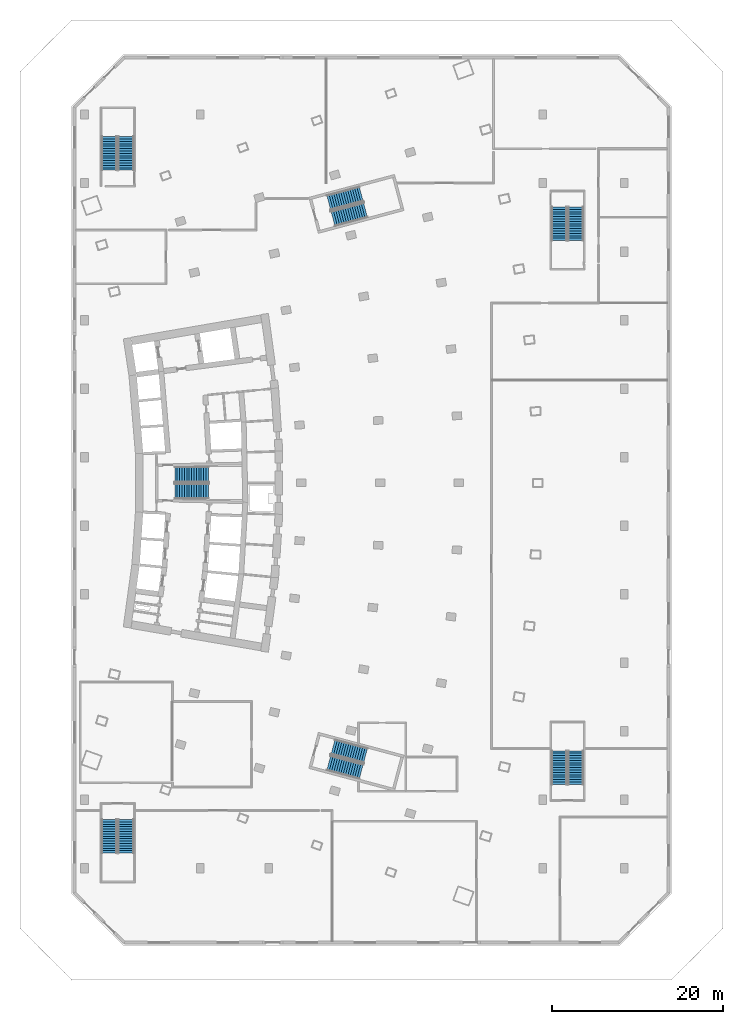
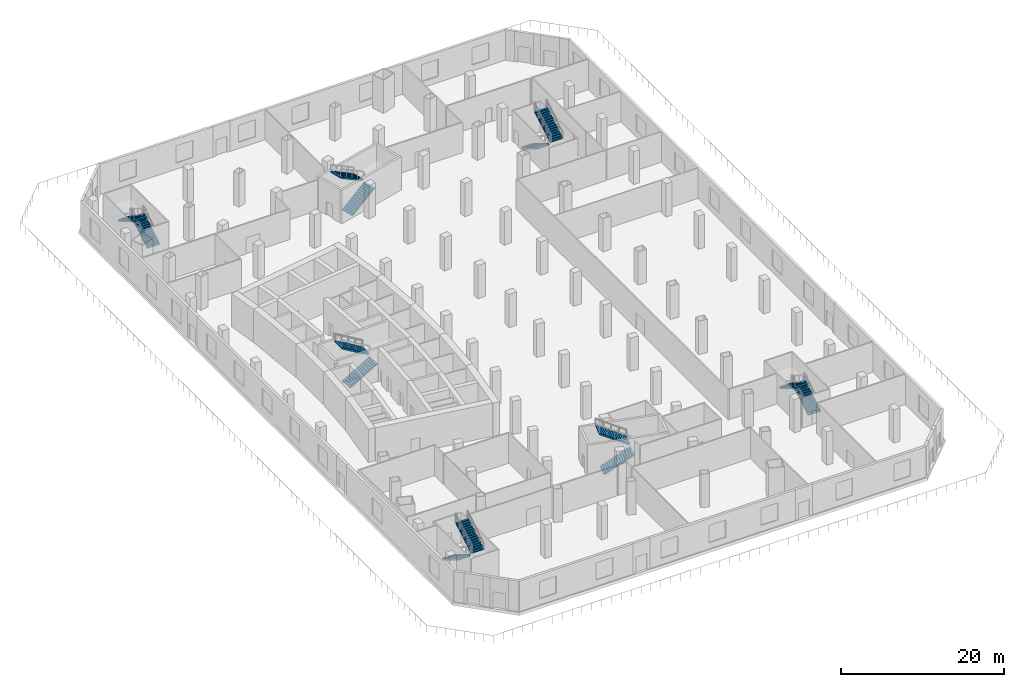
# One storey, part 10 of 15: 14 stair flights, 7 elements without a shape of their own.
"""IFC4 building model written with IfcOpenShell, lengths in metres."""

from ifc_helpers import new_model, si_unit, direction, frame, origin, place, context, subcontext, project, spatial, polyline, outline, extrude, material, layer, layer_set, type_object, element, aggregate, save


model = new_model("IFC4")

# Units and contexts
model_context = context("Model", 3, precision=1e-05, world=origin(), true_north=direction((0.0, 1.0)))
body_context = subcontext(model_context, "Body", "Model", "MODEL_VIEW")
ifc_project = project(units=[si_unit("LENGTHUNIT", "METRE"), si_unit("AREAUNIT", "SQUARE_METRE"), si_unit("VOLUMEUNIT", "CUBIC_METRE"), si_unit("PLANEANGLEUNIT", "RADIAN"), si_unit("MASSUNIT", "GRAM", prefix="KILO")], contexts=[model_context])

# Site, building, storey
site_placement = place(None, origin())
site = spatial("IfcSite", under=ifc_project, at=site_placement, CompositionType="ELEMENT")
building_placement = place(site_placement, origin())
building = spatial("IfcBuilding", under=site, at=building_placement, Name="Alderwake Tower", CompositionType="ELEMENT")
storey_placement = place(building_placement, frame((0.0, 0.0, 13.5)))
storey = spatial("IfcBuildingStorey", under=building, at=storey_placement, Name="L02", CompositionType="ELEMENT", Elevation=13.5)

# Stair, stair flights
ifc_material_1 = material(Name="Concrete C40/50", Category="concrete")
stair_type_1 = type_object("IfcStairType", Name="Core exit stair", PredefinedType="HALF_TURN_STAIR", material=ifc_material_1)
stair_1_placement = place(storey_placement, origin())
stair_1 = element("IfcStair", 1, at=stair_1_placement, inside=storey, type_object=stair_type_1, Name="L02 Exit Stair B", PredefinedType="HALF_TURN_STAIR")
ifc_material_2 = material(Name="Concrete C40/50", Category="concrete")
ifc_layer = layer(ifc_material_2, 0.14990234375)
ifc_layer_set = layer_set([ifc_layer], Name="Core stair flight")
stair_flight_type = type_object("IfcStairFlightType", Name="Core stair flight", PredefinedType="STRAIGHT", material=ifc_layer_set)
stair_flight_1_placement = place(storey_placement, frame((21.0400390625, 60.02490234375, 0.0), z_axis=(0.0, 0.0, 1.0), x_axis=(1.0, 0.0, 0.0)))
stair_flight_1 = element("IfcStairFlight", 2, at=stair_flight_1_placement, type_object=stair_flight_type, Name="ST-B flight 1", NumberOfRisers=15, NumberOfTreads=14, PredefinedType="STRAIGHT", RiserHeight=0.166666667, TreadLength=0.28, context=body_context, shape_type="SweptSolid", body=[
    extrude(outline(polyline([(0.0, 0.0), (0.0, 0.166748046875), (0.280029296875, 0.166748046875), (0.280029296875, 0.333251953125), (0.56005859375, 0.333251953125), (0.56005859375, 0.5), (0.840087890625, 0.5), (0.840087890625, 0.666748046875), (1.1201171875, 0.666748046875), (1.1201171875, 0.833251953125), (1.39990234375, 0.833251953125), (1.39990234375, 1.0), (1.679931640625, 1.0), (1.679931640625, 1.166748046875), (1.9599609375, 1.166748046875), (1.9599609375, 1.333251953125), (2.239990234375, 1.333251953125), (2.239990234375, 1.5), (2.52001953125, 1.5), (2.52001953125, 1.666748046875), (2.800048828125, 1.666748046875), (2.800048828125, 1.833251953125), (3.080078125, 1.833251953125), (3.080078125, 2.0), (3.360107421875, 2.0), (3.360107421875, 2.166748046875), (3.639892578125, 2.166748046875), (3.639892578125, 2.333251953125), (3.919921875, 2.333251953125), (3.919921875, 2.5), (3.919921875, 2.158935546875), (0.29296875, 0.0), (0.0, 0.0)])), frame((0.0, 0.89990234375, 0.0), z_axis=(0.0, -1.0, 0.0), x_axis=(1.0, 0.0, 0.0)), (0.0, 0.0, 1.0), 1.800048828125),
])
stair_flight_2_placement = place(storey_placement, frame((24.9599609375, 61.97509765625, 2.5), z_axis=(0.0, 0.0, 1.0), x_axis=(-1.0, 0.0, 0.0)))
stair_flight_2 = element("IfcStairFlight", 3, at=stair_flight_2_placement, type_object=stair_flight_type, Name="ST-B flight 2", NumberOfRisers=15, NumberOfTreads=14, PredefinedType="STRAIGHT", RiserHeight=0.166666667, TreadLength=0.28, context=body_context, shape_type="SweptSolid", body=[
    extrude(outline(polyline([(0.0, 0.0), (0.0, 0.166748046875), (0.280029296875, 0.166748046875), (0.280029296875, 0.333251953125), (0.56005859375, 0.333251953125), (0.56005859375, 0.5), (0.840087890625, 0.5), (0.840087890625, 0.666748046875), (1.1201171875, 0.666748046875), (1.1201171875, 0.833251953125), (1.39990234375, 0.833251953125), (1.39990234375, 1.0), (1.679931640625, 1.0), (1.679931640625, 1.166748046875), (1.9599609375, 1.166748046875), (1.9599609375, 1.333251953125), (2.239990234375, 1.333251953125), (2.239990234375, 1.5), (2.52001953125, 1.5), (2.52001953125, 1.666748046875), (2.800048828125, 1.666748046875), (2.800048828125, 1.833251953125), (3.080078125, 1.833251953125), (3.080078125, 2.0), (3.360107421875, 2.0), (3.360107421875, 2.166748046875), (3.639892578125, 2.166748046875), (3.639892578125, 2.333251953125), (3.919921875, 2.333251953125), (3.919921875, 2.5), (3.919921875, 2.158935546875), (0.29296875, 0.0), (0.0, 0.0)])), frame((0.0, 0.89990234375, 0.0), z_axis=(0.0, -1.0, 0.0), x_axis=(1.0, 0.0, 0.0)), (0.0, 0.0, 1.0), 1.800048828125),
])
aggregate(stair_1, [stair_flight_1, stair_flight_2])

stair_2_placement = place(storey_placement, origin())
stair_2 = element("IfcStair", 4, at=stair_2_placement, inside=storey, type_object=stair_type_1, Name="L02 Exit Stair A", PredefinedType="HALF_TURN_STAIR")
stair_flight_3_placement = place(storey_placement, frame((39.512939453125, 91.823974609375, 0.0), z_axis=(0.0, 0.0, 1.0), x_axis=(0.966309627437, 0.257382407951, 0.0)))
stair_flight_3 = element("IfcStairFlight", 5, at=stair_flight_3_placement, type_object=stair_flight_type, Name="ST-A flight 1", NumberOfRisers=15, NumberOfTreads=14, PredefinedType="STRAIGHT", RiserHeight=0.166666667, TreadLength=0.28, context=body_context, shape_type="SweptSolid", body=[
    extrude(outline(polyline([(0.0, 0.0), (0.0, 0.166748046875), (0.280029296875, 0.166748046875), (0.280029296875, 0.333251953125), (0.56005859375, 0.333251953125), (0.56005859375, 0.5), (0.840087890625, 0.5), (0.840087890625, 0.666748046875), (1.1201171875, 0.666748046875), (1.1201171875, 0.833251953125), (1.39990234375, 0.833251953125), (1.39990234375, 1.0), (1.679931640625, 1.0), (1.679931640625, 1.166748046875), (1.9599609375, 1.166748046875), (1.9599609375, 1.333251953125), (2.239990234375, 1.333251953125), (2.239990234375, 1.5), (2.52001953125, 1.5), (2.52001953125, 1.666748046875), (2.800048828125, 1.666748046875), (2.800048828125, 1.833251953125), (3.080078125, 1.833251953125), (3.080078125, 2.0), (3.360107421875, 2.0), (3.360107421875, 2.166748046875), (3.639892578125, 2.166748046875), (3.639892578125, 2.333251953125), (3.919921875, 2.333251953125), (3.919921875, 2.5), (3.919921875, 2.158935546875), (0.29296875, 0.0), (0.0, 0.0)])), frame((0.0, 0.89990234375, 0.0), z_axis=(0.0, -1.0, 0.0), x_axis=(1.0, 0.0, 0.0)), (0.0, 0.0, 1.0), 1.800048828125),
])
stair_flight_4_placement = place(storey_placement, frame((42.799072265625, 94.71728515625, 2.5), z_axis=(0.0, 0.0, 1.0), x_axis=(-0.966309627437, -0.257382407951, 0.0)))
stair_flight_4 = element("IfcStairFlight", 6, at=stair_flight_4_placement, type_object=stair_flight_type, Name="ST-A flight 2", NumberOfRisers=15, NumberOfTreads=14, PredefinedType="STRAIGHT", RiserHeight=0.166666667, TreadLength=0.28, context=body_context, shape_type="SweptSolid", body=[
    extrude(outline(polyline([(0.0, 0.0), (0.0, 0.166748046875), (0.280029296875, 0.166748046875), (0.280029296875, 0.333251953125), (0.56005859375, 0.333251953125), (0.56005859375, 0.5), (0.840087890625, 0.5), (0.840087890625, 0.666748046875), (1.1201171875, 0.666748046875), (1.1201171875, 0.833251953125), (1.39990234375, 0.833251953125), (1.39990234375, 1.0), (1.679931640625, 1.0), (1.679931640625, 1.166748046875), (1.9599609375, 1.166748046875), (1.9599609375, 1.333251953125), (2.239990234375, 1.333251953125), (2.239990234375, 1.5), (2.52001953125, 1.5), (2.52001953125, 1.666748046875), (2.800048828125, 1.666748046875), (2.800048828125, 1.833251953125), (3.080078125, 1.833251953125), (3.080078125, 2.0), (3.360107421875, 2.0), (3.360107421875, 2.166748046875), (3.639892578125, 2.166748046875), (3.639892578125, 2.333251953125), (3.919921875, 2.333251953125), (3.919921875, 2.5), (3.919921875, 2.158935546875), (0.29296875, 0.0), (0.0, 0.0)])), frame((0.0, 0.89990234375, 0.0), z_axis=(0.0, -1.0, 0.0), x_axis=(1.0, 0.0, 0.0)), (0.0, 0.0, 1.0), 1.800048828125),
])
aggregate(stair_2, [stair_flight_3, stair_flight_4])

stair_3_placement = place(storey_placement, origin())
stair_3 = element("IfcStair", 7, at=stair_3_placement, inside=storey, type_object=stair_type_1, Name="L02 Exit Stair C", PredefinedType="HALF_TURN_STAIR")
stair_flight_5_placement = place(storey_placement, frame((39.010986328125, 28.291748046875, 0.0), z_axis=(0.0, 0.0, 1.0), x_axis=(0.966309627437, -0.257382407951, 0.0)))
stair_flight_5 = element("IfcStairFlight", 8, at=stair_flight_5_placement, type_object=stair_flight_type, Name="ST-C flight 1", NumberOfRisers=15, NumberOfTreads=14, PredefinedType="STRAIGHT", RiserHeight=0.166666667, TreadLength=0.28, context=body_context, shape_type="SweptSolid", body=[
    extrude(outline(polyline([(0.0, 0.0), (0.0, 0.166748046875), (0.280029296875, 0.166748046875), (0.280029296875, 0.333251953125), (0.56005859375, 0.333251953125), (0.56005859375, 0.5), (0.840087890625, 0.5), (0.840087890625, 0.666748046875), (1.1201171875, 0.666748046875), (1.1201171875, 0.833251953125), (1.39990234375, 0.833251953125), (1.39990234375, 1.0), (1.679931640625, 1.0), (1.679931640625, 1.166748046875), (1.9599609375, 1.166748046875), (1.9599609375, 1.333251953125), (2.239990234375, 1.333251953125), (2.239990234375, 1.5), (2.52001953125, 1.5), (2.52001953125, 1.666748046875), (2.800048828125, 1.666748046875), (2.800048828125, 1.833251953125), (3.080078125, 1.833251953125), (3.080078125, 2.0), (3.360107421875, 2.0), (3.360107421875, 2.166748046875), (3.639892578125, 2.166748046875), (3.639892578125, 2.333251953125), (3.919921875, 2.333251953125), (3.919921875, 2.5), (3.919921875, 2.158935546875), (0.29296875, 0.0), (0.0, 0.0)])), frame((0.0, 0.89990234375, 0.0), z_axis=(0.0, -1.0, 0.0), x_axis=(1.0, 0.0, 0.0)), (0.0, 0.0, 1.0), 1.800048828125),
])
stair_flight_6_placement = place(storey_placement, frame((43.30078125, 29.1669921875, 2.5), z_axis=(0.0, 0.0, 1.0), x_axis=(-0.966309627437, 0.257382407951, 0.0)))
stair_flight_6 = element("IfcStairFlight", 9, at=stair_flight_6_placement, type_object=stair_flight_type, Name="ST-C flight 2", NumberOfRisers=15, NumberOfTreads=14, PredefinedType="STRAIGHT", RiserHeight=0.166666667, TreadLength=0.28, context=body_context, shape_type="SweptSolid", body=[
    extrude(outline(polyline([(0.0, 0.0), (0.0, 0.166748046875), (0.280029296875, 0.166748046875), (0.280029296875, 0.333251953125), (0.56005859375, 0.333251953125), (0.56005859375, 0.5), (0.840087890625, 0.5), (0.840087890625, 0.666748046875), (1.1201171875, 0.666748046875), (1.1201171875, 0.833251953125), (1.39990234375, 0.833251953125), (1.39990234375, 1.0), (1.679931640625, 1.0), (1.679931640625, 1.166748046875), (1.9599609375, 1.166748046875), (1.9599609375, 1.333251953125), (2.239990234375, 1.333251953125), (2.239990234375, 1.5), (2.52001953125, 1.5), (2.52001953125, 1.666748046875), (2.800048828125, 1.666748046875), (2.800048828125, 1.833251953125), (3.080078125, 1.833251953125), (3.080078125, 2.0), (3.360107421875, 2.0), (3.360107421875, 2.166748046875), (3.639892578125, 2.166748046875), (3.639892578125, 2.333251953125), (3.919921875, 2.333251953125), (3.919921875, 2.5), (3.919921875, 2.158935546875), (0.29296875, 0.0), (0.0, 0.0)])), frame((0.0, 0.89990234375, 0.0), z_axis=(0.0, -1.0, 0.0), x_axis=(1.0, 0.0, 0.0)), (0.0, 0.0, 1.0), 1.800048828125),
])
aggregate(stair_3, [stair_flight_5, stair_flight_6])

ifc_material_3 = material(Name="Concrete C40/50", Category="concrete")
stair_type_2 = type_object("IfcStairType", Name="Exit stair 1800 half-turn", PredefinedType="HALF_TURN_STAIR", material=ifc_material_3)
stair_4_placement = place(storey_placement, origin())
stair_4 = element("IfcStair", 10, at=stair_4_placement, inside=storey, type_object=stair_type_2, Name="L02 Podium stair P1", PredefinedType="HALF_TURN_STAIR")
stair_flight_7_placement = place(storey_placement, frame((13.39990234375, 21.699951171875, 0.0), z_axis=(0.0, 0.0, 1.0), x_axis=(0.0, -1.0, 0.0)))
stair_flight_7 = element("IfcStairFlight", 11, at=stair_flight_7_placement, type_object=stair_flight_type, Name="ST-P1 flight 1", NumberOfRisers=15, NumberOfTreads=14, PredefinedType="STRAIGHT", RiserHeight=0.166666667, TreadLength=0.28, context=body_context, shape_type="SweptSolid", body=[
    extrude(outline(polyline([(0.0, 0.0), (0.0, 0.166748046875), (0.280029296875, 0.166748046875), (0.280029296875, 0.333251953125), (0.56005859375, 0.333251953125), (0.56005859375, 0.5), (0.840087890625, 0.5), (0.840087890625, 0.666748046875), (1.1201171875, 0.666748046875), (1.1201171875, 0.833251953125), (1.39990234375, 0.833251953125), (1.39990234375, 1.0), (1.679931640625, 1.0), (1.679931640625, 1.166748046875), (1.9599609375, 1.166748046875), (1.9599609375, 1.333251953125), (2.239990234375, 1.333251953125), (2.239990234375, 1.5), (2.52001953125, 1.5), (2.52001953125, 1.666748046875), (2.800048828125, 1.666748046875), (2.800048828125, 1.833251953125), (3.080078125, 1.833251953125), (3.080078125, 2.0), (3.360107421875, 2.0), (3.360107421875, 2.166748046875), (3.639892578125, 2.166748046875), (3.639892578125, 2.333251953125), (3.919921875, 2.333251953125), (3.919921875, 2.5), (3.919921875, 2.158935546875), (0.29296875, 0.0), (0.0, 0.0)])), frame((0.0, 0.89990234375, 0.0), z_axis=(0.0, -1.0, 0.0), x_axis=(1.0, 0.0, 0.0)), (0.0, 0.0, 1.0), 1.800048828125),
])
stair_flight_8_placement = place(storey_placement, frame((15.35009765625, 17.780029296875, 2.5), z_axis=(0.0, 0.0, 1.0), x_axis=(0.0, 1.0, 0.0)))
stair_flight_8 = element("IfcStairFlight", 12, at=stair_flight_8_placement, type_object=stair_flight_type, Name="ST-P1 flight 2", NumberOfRisers=15, NumberOfTreads=14, PredefinedType="STRAIGHT", RiserHeight=0.166666667, TreadLength=0.28, context=body_context, shape_type="SweptSolid", body=[
    extrude(outline(polyline([(0.0, 0.0), (0.0, 0.166748046875), (0.280029296875, 0.166748046875), (0.280029296875, 0.333251953125), (0.56005859375, 0.333251953125), (0.56005859375, 0.5), (0.840087890625, 0.5), (0.840087890625, 0.666748046875), (1.1201171875, 0.666748046875), (1.1201171875, 0.833251953125), (1.39990234375, 0.833251953125), (1.39990234375, 1.0), (1.679931640625, 1.0), (1.679931640625, 1.166748046875), (1.9599609375, 1.166748046875), (1.9599609375, 1.333251953125), (2.239990234375, 1.333251953125), (2.239990234375, 1.5), (2.52001953125, 1.5), (2.52001953125, 1.666748046875), (2.800048828125, 1.666748046875), (2.800048828125, 1.833251953125), (3.080078125, 1.833251953125), (3.080078125, 2.0), (3.360107421875, 2.0), (3.360107421875, 2.166748046875), (3.639892578125, 2.166748046875), (3.639892578125, 2.333251953125), (3.919921875, 2.333251953125), (3.919921875, 2.5), (3.919921875, 2.158935546875), (0.29296875, 0.0), (0.0, 0.0)])), frame((0.0, 0.89990234375, 0.0), z_axis=(0.0, -1.0, 0.0), x_axis=(1.0, 0.0, 0.0)), (0.0, 0.0, 1.0), 1.800048828125),
])
aggregate(stair_4, [stair_flight_7, stair_flight_8])

stair_5_placement = place(storey_placement, origin())
stair_5 = element("IfcStair", 13, at=stair_5_placement, inside=storey, type_object=stair_type_2, Name="L02 Podium stair P2", PredefinedType="HALF_TURN_STAIR")
stair_flight_9_placement = place(storey_placement, frame((15.35009765625, 97.5, 0.0), z_axis=(0.0, 0.0, 1.0), x_axis=(0.0, 1.0, 0.0)))
stair_flight_9 = element("IfcStairFlight", 14, at=stair_flight_9_placement, type_object=stair_flight_type, Name="ST-P2 flight 1", NumberOfRisers=15, NumberOfTreads=14, PredefinedType="STRAIGHT", RiserHeight=0.166666667, TreadLength=0.28, context=body_context, shape_type="SweptSolid", body=[
    extrude(outline(polyline([(0.0, 0.0), (0.0, 0.166748046875), (0.280029296875, 0.166748046875), (0.280029296875, 0.333251953125), (0.56005859375, 0.333251953125), (0.56005859375, 0.5), (0.840087890625, 0.5), (0.840087890625, 0.666748046875), (1.1201171875, 0.666748046875), (1.1201171875, 0.833251953125), (1.39990234375, 0.833251953125), (1.39990234375, 1.0), (1.679931640625, 1.0), (1.679931640625, 1.166748046875), (1.9599609375, 1.166748046875), (1.9599609375, 1.333251953125), (2.239990234375, 1.333251953125), (2.239990234375, 1.5), (2.52001953125, 1.5), (2.52001953125, 1.666748046875), (2.800048828125, 1.666748046875), (2.800048828125, 1.833251953125), (3.080078125, 1.833251953125), (3.080078125, 2.0), (3.360107421875, 2.0), (3.360107421875, 2.166748046875), (3.639892578125, 2.166748046875), (3.639892578125, 2.333251953125), (3.919921875, 2.333251953125), (3.919921875, 2.5), (3.919921875, 2.158935546875), (0.29296875, 0.0), (0.0, 0.0)])), frame((0.0, 0.89990234375, 0.0), z_axis=(0.0, -1.0, 0.0), x_axis=(1.0, 0.0, 0.0)), (0.0, 0.0, 1.0), 1.800048828125),
])
stair_flight_10_placement = place(storey_placement, frame((13.39990234375, 101.419921875, 2.5), z_axis=(0.0, 0.0, 1.0), x_axis=(0.0, -1.0, 0.0)))
stair_flight_10 = element("IfcStairFlight", 15, at=stair_flight_10_placement, type_object=stair_flight_type, Name="ST-P2 flight 2", NumberOfRisers=15, NumberOfTreads=14, PredefinedType="STRAIGHT", RiserHeight=0.166666667, TreadLength=0.28, context=body_context, shape_type="SweptSolid", body=[
    extrude(outline(polyline([(0.0, 0.0), (0.0, 0.166748046875), (0.280029296875, 0.166748046875), (0.280029296875, 0.333251953125), (0.56005859375, 0.333251953125), (0.56005859375, 0.5), (0.840087890625, 0.5), (0.840087890625, 0.666748046875), (1.1201171875, 0.666748046875), (1.1201171875, 0.833251953125), (1.39990234375, 0.833251953125), (1.39990234375, 1.0), (1.679931640625, 1.0), (1.679931640625, 1.166748046875), (1.9599609375, 1.166748046875), (1.9599609375, 1.333251953125), (2.239990234375, 1.333251953125), (2.239990234375, 1.5), (2.52001953125, 1.5), (2.52001953125, 1.666748046875), (2.800048828125, 1.666748046875), (2.800048828125, 1.833251953125), (3.080078125, 1.833251953125), (3.080078125, 2.0), (3.360107421875, 2.0), (3.360107421875, 2.166748046875), (3.639892578125, 2.166748046875), (3.639892578125, 2.333251953125), (3.919921875, 2.333251953125), (3.919921875, 2.5), (3.919921875, 2.158935546875), (0.29296875, 0.0), (0.0, 0.0)])), frame((0.0, 0.89990234375, 0.0), z_axis=(0.0, -1.0, 0.0), x_axis=(1.0, 0.0, 0.0)), (0.0, 0.0, 1.0), 1.800048828125),
])
aggregate(stair_5, [stair_flight_9, stair_flight_10])

stair_6_placement = place(storey_placement, origin())
stair_6 = element("IfcStair", 16, at=stair_6_placement, inside=storey, type_object=stair_type_2, Name="L02 Podium stair P3", PredefinedType="HALF_TURN_STAIR")
stair_flight_11_placement = place(storey_placement, frame((65.89990234375, 93.199951171875, 0.0), z_axis=(0.0, 0.0, 1.0), x_axis=(0.0, -1.0, 0.0)))
stair_flight_11 = element("IfcStairFlight", 17, at=stair_flight_11_placement, type_object=stair_flight_type, Name="ST-P3 flight 1", NumberOfRisers=15, NumberOfTreads=14, PredefinedType="STRAIGHT", RiserHeight=0.166666667, TreadLength=0.28, context=body_context, shape_type="SweptSolid", body=[
    extrude(outline(polyline([(0.0, 0.0), (0.0, 0.166748046875), (0.280029296875, 0.166748046875), (0.280029296875, 0.333251953125), (0.56005859375, 0.333251953125), (0.56005859375, 0.5), (0.840087890625, 0.5), (0.840087890625, 0.666748046875), (1.1201171875, 0.666748046875), (1.1201171875, 0.833251953125), (1.39990234375, 0.833251953125), (1.39990234375, 1.0), (1.679931640625, 1.0), (1.679931640625, 1.166748046875), (1.9599609375, 1.166748046875), (1.9599609375, 1.333251953125), (2.239990234375, 1.333251953125), (2.239990234375, 1.5), (2.52001953125, 1.5), (2.52001953125, 1.666748046875), (2.800048828125, 1.666748046875), (2.800048828125, 1.833251953125), (3.080078125, 1.833251953125), (3.080078125, 2.0), (3.360107421875, 2.0), (3.360107421875, 2.166748046875), (3.639892578125, 2.166748046875), (3.639892578125, 2.333251953125), (3.919921875, 2.333251953125), (3.919921875, 2.5), (3.919921875, 2.158935546875), (0.29296875, 0.0), (0.0, 0.0)])), frame((0.0, 0.89990234375, 0.0), z_axis=(0.0, -1.0, 0.0), x_axis=(1.0, 0.0, 0.0)), (0.0, 0.0, 1.0), 1.800048828125),
])
stair_flight_12_placement = place(storey_placement, frame((67.85009765625, 89.280029296875, 2.5), z_axis=(0.0, 0.0, 1.0), x_axis=(0.0, 1.0, 0.0)))
stair_flight_12 = element("IfcStairFlight", 18, at=stair_flight_12_placement, type_object=stair_flight_type, Name="ST-P3 flight 2", NumberOfRisers=15, NumberOfTreads=14, PredefinedType="STRAIGHT", RiserHeight=0.166666667, TreadLength=0.28, context=body_context, shape_type="SweptSolid", body=[
    extrude(outline(polyline([(0.0, 0.0), (0.0, 0.166748046875), (0.280029296875, 0.166748046875), (0.280029296875, 0.333251953125), (0.56005859375, 0.333251953125), (0.56005859375, 0.5), (0.840087890625, 0.5), (0.840087890625, 0.666748046875), (1.1201171875, 0.666748046875), (1.1201171875, 0.833251953125), (1.39990234375, 0.833251953125), (1.39990234375, 1.0), (1.679931640625, 1.0), (1.679931640625, 1.166748046875), (1.9599609375, 1.166748046875), (1.9599609375, 1.333251953125), (2.239990234375, 1.333251953125), (2.239990234375, 1.5), (2.52001953125, 1.5), (2.52001953125, 1.666748046875), (2.800048828125, 1.666748046875), (2.800048828125, 1.833251953125), (3.080078125, 1.833251953125), (3.080078125, 2.0), (3.360107421875, 2.0), (3.360107421875, 2.166748046875), (3.639892578125, 2.166748046875), (3.639892578125, 2.333251953125), (3.919921875, 2.333251953125), (3.919921875, 2.5), (3.919921875, 2.158935546875), (0.29296875, 0.0), (0.0, 0.0)])), frame((0.0, 0.89990234375, 0.0), z_axis=(0.0, -1.0, 0.0), x_axis=(1.0, 0.0, 0.0)), (0.0, 0.0, 1.0), 1.800048828125),
])
aggregate(stair_6, [stair_flight_11, stair_flight_12])

stair_7_placement = place(storey_placement, origin())
stair_7 = element("IfcStair", 19, at=stair_7_placement, inside=storey, type_object=stair_type_2, Name="L02 Podium stair P4", PredefinedType="HALF_TURN_STAIR")
stair_flight_13_placement = place(storey_placement, frame((67.85009765625, 25.800048828125, 0.0), z_axis=(0.0, 0.0, 1.0), x_axis=(0.0, 1.0, 0.0)))
stair_flight_13 = element("IfcStairFlight", 20, at=stair_flight_13_placement, type_object=stair_flight_type, Name="ST-P4 flight 1", NumberOfRisers=15, NumberOfTreads=14, PredefinedType="STRAIGHT", RiserHeight=0.166666667, TreadLength=0.28, context=body_context, shape_type="SweptSolid", body=[
    extrude(outline(polyline([(0.0, 0.0), (0.0, 0.166748046875), (0.280029296875, 0.166748046875), (0.280029296875, 0.333251953125), (0.56005859375, 0.333251953125), (0.56005859375, 0.5), (0.840087890625, 0.5), (0.840087890625, 0.666748046875), (1.1201171875, 0.666748046875), (1.1201171875, 0.833251953125), (1.39990234375, 0.833251953125), (1.39990234375, 1.0), (1.679931640625, 1.0), (1.679931640625, 1.166748046875), (1.9599609375, 1.166748046875), (1.9599609375, 1.333251953125), (2.239990234375, 1.333251953125), (2.239990234375, 1.5), (2.52001953125, 1.5), (2.52001953125, 1.666748046875), (2.800048828125, 1.666748046875), (2.800048828125, 1.833251953125), (3.080078125, 1.833251953125), (3.080078125, 2.0), (3.360107421875, 2.0), (3.360107421875, 2.166748046875), (3.639892578125, 2.166748046875), (3.639892578125, 2.333251953125), (3.919921875, 2.333251953125), (3.919921875, 2.5), (3.919921875, 2.158935546875), (0.29296875, 0.0), (0.0, 0.0)])), frame((0.0, 0.89990234375, 0.0), z_axis=(0.0, -1.0, 0.0), x_axis=(1.0, 0.0, 0.0)), (0.0, 0.0, 1.0), 1.800048828125),
])
stair_flight_14_placement = place(storey_placement, frame((65.89990234375, 29.719970703125, 2.5), z_axis=(0.0, 0.0, 1.0), x_axis=(0.0, -1.0, 0.0)))
stair_flight_14 = element("IfcStairFlight", 21, at=stair_flight_14_placement, type_object=stair_flight_type, Name="ST-P4 flight 2", NumberOfRisers=15, NumberOfTreads=14, PredefinedType="STRAIGHT", RiserHeight=0.166666667, TreadLength=0.28, context=body_context, shape_type="SweptSolid", body=[
    extrude(outline(polyline([(0.0, 0.0), (0.0, 0.166748046875), (0.280029296875, 0.166748046875), (0.280029296875, 0.333251953125), (0.56005859375, 0.333251953125), (0.56005859375, 0.5), (0.840087890625, 0.5), (0.840087890625, 0.666748046875), (1.1201171875, 0.666748046875), (1.1201171875, 0.833251953125), (1.39990234375, 0.833251953125), (1.39990234375, 1.0), (1.679931640625, 1.0), (1.679931640625, 1.166748046875), (1.9599609375, 1.166748046875), (1.9599609375, 1.333251953125), (2.239990234375, 1.333251953125), (2.239990234375, 1.5), (2.52001953125, 1.5), (2.52001953125, 1.666748046875), (2.800048828125, 1.666748046875), (2.800048828125, 1.833251953125), (3.080078125, 1.833251953125), (3.080078125, 2.0), (3.360107421875, 2.0), (3.360107421875, 2.166748046875), (3.639892578125, 2.166748046875), (3.639892578125, 2.333251953125), (3.919921875, 2.333251953125), (3.919921875, 2.5), (3.919921875, 2.158935546875), (0.29296875, 0.0), (0.0, 0.0)])), frame((0.0, 0.89990234375, 0.0), z_axis=(0.0, -1.0, 0.0), x_axis=(1.0, 0.0, 0.0)), (0.0, 0.0, 1.0), 1.800048828125),
])
aggregate(stair_7, [stair_flight_13, stair_flight_14])

save(model, "model.ifc")
